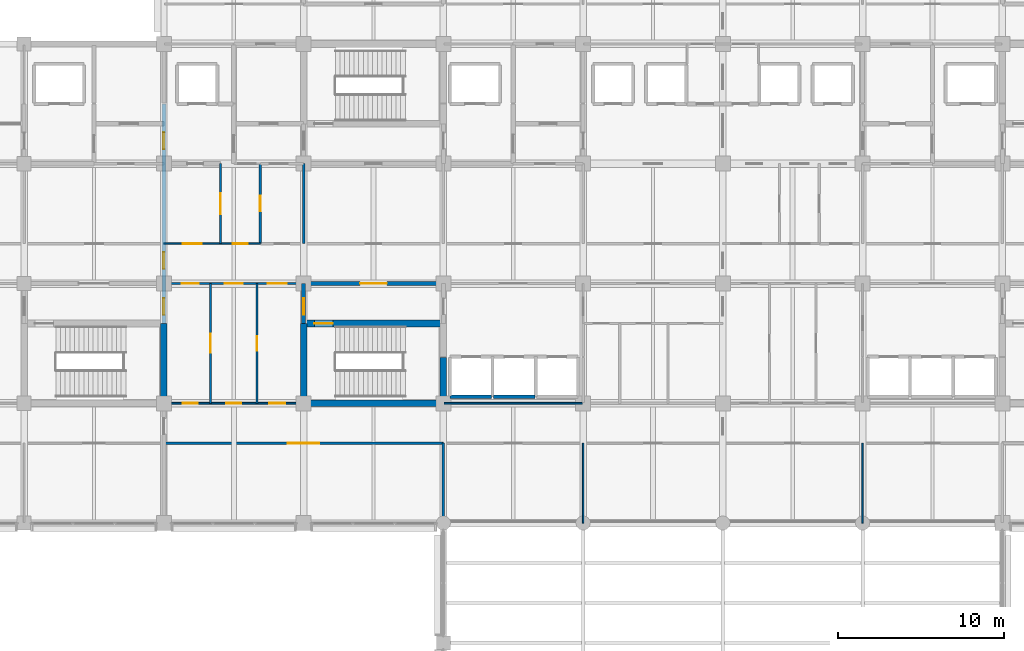
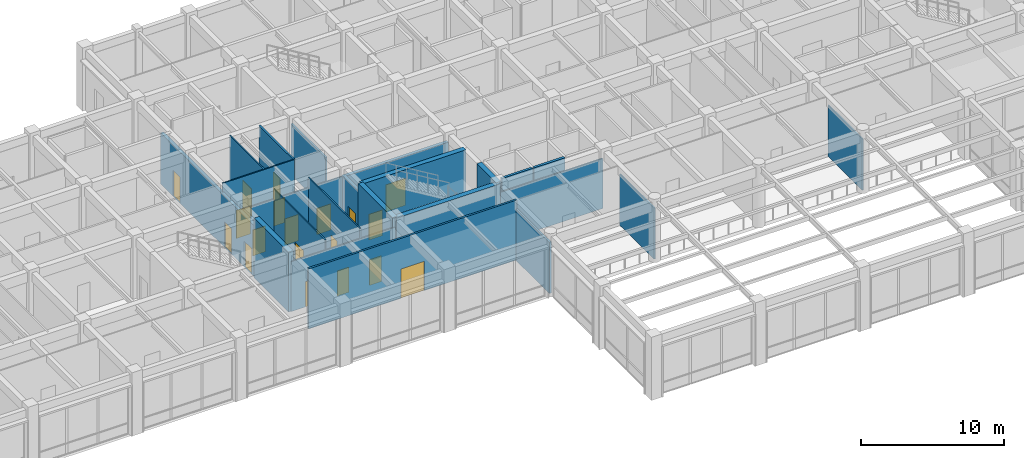
# One storey, part 35 of 58: 23 walls, 19 doors, 19 openings.
"""IFC4 building model written with IfcOpenShell, lengths in metres."""

from ifc_helpers import new_model, si_unit, direction, frame, frame_2d, origin, place, context, subcontext, project, spatial, rectangle, extrude, material, layer, layer_set, type_object, element, fill, save


model = new_model("IFC4")

# Units and contexts
model_context = context("Model", 3, precision=1e-05, world=origin(), true_north=direction((0.0, 1.0)))
body_context = subcontext(model_context, "Body", "Model", "MODEL_VIEW")
ifc_project = project(units=[si_unit("LENGTHUNIT", "METRE"), si_unit("AREAUNIT", "SQUARE_METRE"), si_unit("VOLUMEUNIT", "CUBIC_METRE"), si_unit("PLANEANGLEUNIT", "RADIAN"), si_unit("MASSUNIT", "GRAM", prefix="KILO")], contexts=[model_context])

# Site, building, storey
site_placement = place(None, origin())
site = spatial("IfcSite", under=ifc_project, at=site_placement, CompositionType="ELEMENT")
building_placement = place(site_placement, origin())
building = spatial("IfcBuilding", under=site, at=building_placement, Name="Chengyuan Square Courthouse", CompositionType="ELEMENT")
storey_placement = place(building_placement, frame((0.0, 0.0, 16.199951171875)))
storey = spatial("IfcBuildingStorey", under=building, at=storey_placement, Name="L04", CompositionType="ELEMENT", Elevation=16.199951171875)

# Wall, opening, door
ifc_material_1 = material(Name="Concrete C40", Category="concrete")
ifc_layer_1 = layer(ifc_material_1, 0.25)
ifc_layer_set_1 = layer_set([ifc_layer_1], Name="Concrete C40")
wall_type_1 = type_object("IfcWallType", Name="WL-FW1", PredefinedType="STANDARD", material=ifc_layer_set_1)
wall_1_placement = place(storey_placement, frame((58.800048828125, 93.60009765625, 0.0), z_axis=(0.0, 0.0, 1.0), x_axis=(1.0, 0.0, 0.0)))
wall_1 = element("IfcWall", 1, at=wall_1_placement, inside=storey, type_object=wall_type_1, Name="Interior Wall WL-L04-I1814", PredefinedType="STANDARD", context=body_context, shape_type="SweptSolid", body=[
    extrude(rectangle(XDim=8.39990234375, YDim=0.25, at=frame_2d((4.199951171875, 0.0))), origin(), (0.0, 0.0, 1.0), 4.27001953125),
])
opening_1_placement = place(wall_1_placement, frame((3.39990234375, 0.0, 0.0)))
opening_1 = element("IfcOpeningElement", 2, at=opening_1_placement, cuts=wall_1, Name="Opening DR-1640", PredefinedType="OPENING", context=body_context, shape_type="SweptSolid", body=[
    extrude(rectangle(XDim=1.60009765625, YDim=2.300048828125, at=frame_2d((0.800048828125, 1.14990234375))), frame((0.0, 0.136962890625, 0.0), z_axis=(0.0, -1.0, 0.0), x_axis=(1.0, 0.0, 0.0)), (0.0, 0.0, 1.0), 0.27392578125),
])
ifc_material_2 = material(Name="Steel Q235B Glazed Fire Door", Category="steel")
door_type_1 = type_object("IfcDoorType", Name="DT-17", OperationType="DOUBLE_DOOR_SINGLE_SWING", PredefinedType="DOOR", material=ifc_material_2)
door_1_placement = place(opening_1_placement, frame((1.60009765625, 0.0, 0.0), z_axis=(0.0, 0.0, 1.0), x_axis=(-1.0, 0.0, 0.0)))
door_1 = element("IfcDoor", 3, at=door_1_placement, inside=storey, type_object=door_type_1, Name="Interior Door DR-1640", OperationType="DOUBLE_DOOR_SINGLE_SWING", OverallHeight=2.300048828125, OverallWidth=1.60009765625, PredefinedType="DOOR", context=body_context, shape_type="SweptSolid", body=[
    extrude(rectangle(XDim=1.60009765625, YDim=2.300048828125, at=frame_2d((0.800048828125, 1.14990234375))), frame((0.0, 0.02490234375, 0.0), z_axis=(0.0, -1.0, 0.0), x_axis=(1.0, 0.0, 0.0)), (0.0, 0.0, 1.0), 0.050048828125),
])
fill(opening_1, door_1)

# Wall, openings, doors
wall_2_placement = place(storey_placement, frame((50.39990234375, 91.199951171875, 0.0), z_axis=(0.0, 0.0, 1.0), x_axis=(0.0, 1.0, 0.0)))
wall_2 = element("IfcWall", 4, at=wall_2_placement, inside=storey, type_object=wall_type_1, Name="Interior Wall WL-L04-I1957", PredefinedType="STANDARD", context=body_context, shape_type="SweptSolid", body=[
    extrude(rectangle(XDim=13.199951171875, YDim=0.25, at=frame_2d((6.60009765625, 0.0))), origin(), (0.0, 0.0, 1.0), 4.3701171875),
])
opening_2_placement = place(wall_2_placement, frame((0.514892578125, 0.0, 0.0)))
opening_2 = element("IfcOpeningElement", 5, at=opening_2_placement, cuts=wall_2, Name="Opening DR-1647", PredefinedType="OPENING", context=body_context, shape_type="SweptSolid", body=[
    extrude(rectangle(XDim=1.0, YDim=2.199951171875, at=frame_2d((0.5, 1.10009765625))), frame((0.0, 0.136962890625, 0.0), z_axis=(0.0, -1.0, 0.0), x_axis=(1.0, 0.0, 0.0)), (0.0, 0.0, 1.0), 0.27392578125),
])
opening_3_placement = place(wall_2_placement, frame((10.485107421875, 0.0, 0.0)))
opening_3 = element("IfcOpeningElement", 6, at=opening_3_placement, cuts=wall_2, Name="Opening DR-1680", PredefinedType="OPENING", context=body_context, shape_type="SweptSolid", body=[
    extrude(rectangle(XDim=1.0, YDim=2.199951171875, at=frame_2d((0.5, 1.10009765625))), frame((0.0, 0.136962890625, 0.0), z_axis=(0.0, -1.0, 0.0), x_axis=(1.0, 0.0, 0.0)), (0.0, 0.0, 1.0), 0.27392578125),
])
opening_4_placement = place(wall_2_placement, frame((3.284912109375, 0.0, 0.0)))
opening_4 = element("IfcOpeningElement", 7, at=opening_4_placement, cuts=wall_2, Name="Opening DR-1743", PredefinedType="OPENING", context=body_context, shape_type="SweptSolid", body=[
    extrude(rectangle(XDim=1.0, YDim=2.199951171875, at=frame_2d((0.5, 1.10009765625))), frame((0.0, 0.136962890625, 0.0), z_axis=(0.0, -1.0, 0.0), x_axis=(1.0, 0.0, 0.0)), (0.0, 0.0, 1.0), 0.27392578125),
])
ifc_material_3 = material(Name="Steel Q235B Fire Door", Category="steel")
door_type_2 = type_object("IfcDoorType", Name="DT-11", OperationType="NOTDEFINED", PredefinedType="DOOR", material=ifc_material_3)
door_2_placement = place(opening_2_placement, origin())
door_2 = element("IfcDoor", 8, at=door_2_placement, inside=storey, type_object=door_type_2, Name="Interior Door DR-1647", OperationType="SINGLE_SWING_RIGHT", OverallHeight=2.199951171875, OverallWidth=1.0, PredefinedType="DOOR", context=body_context, shape_type="SweptSolid", body=[
    extrude(rectangle(XDim=1.0, YDim=2.199951171875, at=frame_2d((0.5, 1.10009765625))), frame((0.0, 0.02490234375, 0.0), z_axis=(0.0, -1.0, 0.0), x_axis=(1.0, 0.0, 0.0)), (0.0, 0.0, 1.0), 0.050048828125),
])
fill(opening_2, door_2)
door_3_placement = place(opening_3_placement, origin())
door_3 = element("IfcDoor", 9, at=door_3_placement, inside=storey, type_object=door_type_2, Name="Interior Door DR-1680", OperationType="SINGLE_SWING_RIGHT", OverallHeight=2.199951171875, OverallWidth=1.0, PredefinedType="DOOR", context=body_context, shape_type="SweptSolid", body=[
    extrude(rectangle(XDim=1.0, YDim=2.199951171875, at=frame_2d((0.5, 1.10009765625))), frame((0.0, 0.02490234375, 0.0), z_axis=(0.0, -1.0, 0.0), x_axis=(1.0, 0.0, 0.0)), (0.0, 0.0, 1.0), 0.050048828125),
])
fill(opening_3, door_3)
door_4_placement = place(opening_4_placement, origin())
door_4 = element("IfcDoor", 10, at=door_4_placement, inside=storey, type_object=door_type_2, Name="Interior Door DR-1743", OperationType="SINGLE_SWING_LEFT", OverallHeight=2.199951171875, OverallWidth=1.0, PredefinedType="DOOR", context=body_context, shape_type="SweptSolid", body=[
    extrude(rectangle(XDim=1.0, YDim=2.199951171875, at=frame_2d((0.5, 1.10009765625))), frame((0.0, 0.02490234375, 0.0), z_axis=(0.0, -1.0, 0.0), x_axis=(1.0, 0.0, 0.0)), (0.0, 0.0, 1.0), 0.050048828125),
])
fill(opening_4, door_4)

# Wall, opening, door
wall_3_placement = place(storey_placement, frame((58.800048828125, 91.199951171875, 0.0), z_axis=(0.0, 0.0, 1.0), x_axis=(0.0, 1.0, 0.0)))
wall_3 = element("IfcWall", 11, at=wall_3_placement, inside=storey, type_object=wall_type_1, Name="Interior Wall WL-L04-I1968", PredefinedType="STANDARD", context=body_context, shape_type="SweptSolid", body=[
    extrude(rectangle(XDim=2.400146484375, YDim=0.25, at=frame_2d((1.2001953125, 0.0))), origin(), (0.0, 0.0, 1.0), 4.3701171875),
])
opening_5_placement = place(wall_3_placement, frame((0.514892578125, 0.0, 0.0)))
opening_5 = element("IfcOpeningElement", 12, at=opening_5_placement, cuts=wall_3, Name="Opening DR-1641", PredefinedType="OPENING", context=body_context, shape_type="SweptSolid", body=[
    extrude(rectangle(XDim=1.0, YDim=2.199951171875, at=frame_2d((0.5, 1.10009765625))), frame((0.0, 0.136962890625, 0.0), z_axis=(0.0, -1.0, 0.0), x_axis=(1.0, 0.0, 0.0)), (0.0, 0.0, 1.0), 0.27392578125),
])
door_5_placement = place(opening_5_placement, origin())
door_5 = element("IfcDoor", 13, at=door_5_placement, inside=storey, type_object=door_type_2, Name="Interior Door DR-1641", OperationType="SINGLE_SWING_RIGHT", OverallHeight=2.199951171875, OverallWidth=1.0, PredefinedType="DOOR", context=body_context, shape_type="SweptSolid", body=[
    extrude(rectangle(XDim=1.0, YDim=2.199951171875, at=frame_2d((0.5, 1.10009765625))), frame((0.0, 0.02490234375, 0.0), z_axis=(0.0, -1.0, 0.0), x_axis=(1.0, 0.0, 0.0)), (0.0, 0.0, 1.0), 0.050048828125),
])
fill(opening_5, door_5)

ifc_material_4 = material(Name="Acoustic Timber-Lined Gypsum Partition", Category="wood")
ifc_layer_2 = layer(ifc_material_4, 0.159912109375)
ifc_layer_set_2 = layer_set([ifc_layer_2], Name="Acoustic Timber-Lined Gypsum Partition")
wall_type_2 = type_object("IfcWallType", Name="WL-PT2", PredefinedType="STANDARD", material=ifc_layer_set_2)
wall_4_placement = place(storey_placement, frame((50.39990234375, 84.0, 0.0), z_axis=(0.0, 0.0, 1.0), x_axis=(1.0, 0.0, 0.0)))
wall_4 = element("IfcWall", 14, at=wall_4_placement, inside=storey, type_object=wall_type_2, Name="Interior Wall WL-L04-I1774", PredefinedType="STANDARD", context=body_context, shape_type="SweptSolid", body=[
    extrude(rectangle(XDim=16.800048828125, YDim=0.159912109375, at=frame_2d((8.39990234375, 0.0))), origin(), (0.0, 0.0, 1.0), 5.1201171875),
])
opening_6_placement = place(wall_4_placement, frame((7.449951171875, 0.0, 0.0)))
opening_6 = element("IfcOpeningElement", 15, at=opening_6_placement, cuts=wall_4, Name="Opening DR-1879", PredefinedType="OPENING", context=body_context, shape_type="SweptSolid", body=[
    extrude(rectangle(XDim=1.89990234375, YDim=2.5, at=frame_2d((0.949951171875, 1.25))), frame((0.0, 0.092041015625, 0.0), z_axis=(0.0, -1.0, 0.0), x_axis=(1.0, 0.0, 0.0)), (0.0, 0.0, 1.0), 0.183837890625),
])
ifc_material_5 = material(Name="Acoustic Larch Veneer Double Door")
door_type_3 = type_object("IfcDoorType", Name="DT-26", OperationType="DOUBLE_DOOR_SINGLE_SWING", PredefinedType="DOOR", material=ifc_material_5)
door_6_placement = place(opening_6_placement, frame((1.89990234375, 0.0, 0.0), z_axis=(0.0, 0.0, 1.0), x_axis=(-1.0, 0.0, 0.0)))
door_6 = element("IfcDoor", 16, at=door_6_placement, inside=storey, type_object=door_type_3, Name="Interior Door DR-1879", OperationType="DOUBLE_DOOR_SINGLE_SWING", OverallHeight=2.5, OverallWidth=1.89990234375, PredefinedType="DOOR", context=body_context, shape_type="SweptSolid", body=[
    extrude(rectangle(XDim=1.89990234375, YDim=2.5, at=frame_2d((0.949951171875, 1.25))), frame((0.0, 0.02490234375, 0.0), z_axis=(0.0, -1.0, 0.0), x_axis=(1.0, 0.0, 0.0)), (0.0, 0.0, 1.0), 0.050048828125),
])
fill(opening_6, door_6)

# Wall
wall_5_placement = place(storey_placement, frame((67.199951171875, 79.239990234375, 0.0), z_axis=(0.0, 0.0, 1.0), x_axis=(0.0, 1.0, 0.0)))
element("IfcWall", 17, at=wall_5_placement, inside=storey, type_object=wall_type_2, Name="Interior Wall WL-L04-I1973", PredefinedType="STANDARD", context=body_context, shape_type="SweptSolid", body=[
    extrude(rectangle(XDim=4.760009765625, YDim=0.159912109375, at=frame_2d((2.3798828125, 0.0))), origin(), (0.0, 0.0, 1.0), 4.3701171875),
])

# Wall, opening, door
ifc_material_6 = material(Name="Deliberation Room Sound-Insulated Partition")
ifc_layer_3 = layer(ifc_material_6, 0.14990234375)
ifc_layer_set_3 = layer_set([ifc_layer_3], Name="Deliberation Room Sound-Insulated Partition")
wall_type_3 = type_object("IfcWallType", Name="WL-PT3", PredefinedType="STANDARD", material=ifc_layer_set_3)
wall_6_placement = place(storey_placement, frame((56.199951171875, 96.0, 0.0), z_axis=(0.0, 0.0, 1.0), x_axis=(0.0, 1.0, 0.0)))
wall_6 = element("IfcWall", 18, at=wall_6_placement, inside=storey, type_object=wall_type_3, Name="Interior Wall WL-L04-I1966", PredefinedType="STANDARD", context=body_context, shape_type="SweptSolid", body=[
    extrude(rectangle(XDim=4.800048828125, YDim=0.14990234375, at=frame_2d((2.39990234375, 0.0))), origin(), (0.0, 0.0, 1.0), 5.1201171875),
])
opening_7_placement = place(wall_6_placement, frame((1.929931640625, 0.0, 0.0)))
opening_7 = element("IfcOpeningElement", 19, at=opening_7_placement, cuts=wall_6, Name="Opening DR-1810", PredefinedType="OPENING", context=body_context, shape_type="SweptSolid", body=[
    extrude(rectangle(XDim=0.93994140625, YDim=2.300048828125, at=frame_2d((0.469970703125, 1.14990234375))), frame((0.0, 0.0869140625, 0.0), z_axis=(0.0, -1.0, 0.0), x_axis=(1.0, 0.0, 0.0)), (0.0, 0.0, 1.0), 0.173828125),
])
ifc_material_7 = material(Name="Acoustic Solid-Core Timber Door", Category="wood")
door_type_4 = type_object("IfcDoorType", Name="DT-39", OperationType="NOTDEFINED", PredefinedType="DOOR", material=ifc_material_7)
door_7_placement = place(opening_7_placement, origin())
door_7 = element("IfcDoor", 20, at=door_7_placement, inside=storey, type_object=door_type_4, Name="Interior Door DR-1810", OperationType="SINGLE_SWING_LEFT", OverallHeight=2.300048828125, OverallWidth=0.93994140625, PredefinedType="DOOR", context=body_context, shape_type="SweptSolid", body=[
    extrude(rectangle(XDim=0.93994140625, YDim=2.300048828125, at=frame_2d((0.469970703125, 1.14990234375))), frame((0.0, 0.02490234375, 0.0), z_axis=(0.0, -1.0, 0.0), x_axis=(1.0, 0.0, 0.0)), (0.0, 0.0, 1.0), 0.050048828125),
])
fill(opening_7, door_7)

# Wall
wall_7_placement = place(storey_placement, frame((58.800048828125, 96.0, 0.0), z_axis=(0.0, 0.0, 1.0), x_axis=(0.0, 1.0, 0.0)))
element("IfcWall", 21, at=wall_7_placement, inside=storey, type_object=wall_type_3, Name="Interior Wall WL-L04-I1969", PredefinedType="STANDARD", context=body_context, shape_type="SweptSolid", body=[
    extrude(rectangle(XDim=4.800048828125, YDim=0.14990234375, at=frame_2d((2.39990234375, 0.0))), origin(), (0.0, 0.0, 1.0), 4.3701171875),
])

# Wall, openings, doors
ifc_material_8 = material(Name="Gypsum Plasterboard Acoustic Stud Partition")
ifc_layer_4 = layer(ifc_material_8, 0.10009765625)
ifc_layer_set_4 = layer_set([ifc_layer_4], Name="Gypsum Plasterboard Acoustic Stud Partition")
wall_type_4 = type_object("IfcWallType", Name="WL-PT6", PredefinedType="STANDARD", material=ifc_layer_set_4)
wall_8_placement = place(storey_placement, frame((50.39990234375, 86.39990234375, 0.0), z_axis=(0.0, 0.0, 1.0), x_axis=(1.0, 0.0, 0.0)))
wall_8 = element("IfcWall", 22, at=wall_8_placement, inside=storey, type_object=wall_type_4, Name="Interior Wall WL-L04-I1782", PredefinedType="STANDARD", context=body_context, shape_type="SweptSolid", body=[
    extrude(rectangle(XDim=8.400146484375, YDim=0.10009765625, at=frame_2d((4.2001953125, 0.0))), origin(), (0.0, 0.0, 1.0), 4.27001953125),
])
opening_8_placement = place(wall_8_placement, frame((1.135009765625, 0.0, 0.0)))
opening_8 = element("IfcOpeningElement", 23, at=opening_8_placement, cuts=wall_8, Name="Opening DR-1832", PredefinedType="OPENING", context=body_context, shape_type="SweptSolid", body=[
    extrude(rectangle(XDim=0.89990234375, YDim=2.14990234375, at=frame_2d((0.449951171875, 1.074951171875))), frame((0.0, 0.06201171875, 0.0), z_axis=(0.0, -1.0, 0.0), x_axis=(1.0, 0.0, 0.0)), (0.0, 0.0, 1.0), 0.1240234375),
])
opening_9_placement = place(wall_8_placement, frame((3.739990234375, 0.0, 0.0)))
opening_9 = element("IfcOpeningElement", 24, at=opening_9_placement, cuts=wall_8, Name="Opening DR-1834", PredefinedType="OPENING", context=body_context, shape_type="SweptSolid", body=[
    extrude(rectangle(XDim=0.919921875, YDim=2.14990234375, at=frame_2d((0.4599609375, 1.074951171875))), frame((0.0, 0.06201171875, 0.0), z_axis=(0.0, -1.0, 0.0), x_axis=(1.0, 0.0, 0.0)), (0.0, 0.0, 1.0), 0.1240234375),
])
opening_10_placement = place(wall_8_placement, frame((6.3349609375, 0.0, 0.0)))
opening_10 = element("IfcOpeningElement", 25, at=opening_10_placement, cuts=wall_8, Name="Opening DR-1835", PredefinedType="OPENING", context=body_context, shape_type="SweptSolid", body=[
    extrude(rectangle(XDim=0.9599609375, YDim=2.199951171875, at=frame_2d((0.47998046875, 1.10009765625))), frame((0.0, 0.06201171875, 0.0), z_axis=(0.0, -1.0, 0.0), x_axis=(1.0, 0.0, 0.0)), (0.0, 0.0, 1.0), 0.1240234375),
])
door_type_5 = type_object("IfcDoorType", Name="DT-27", OperationType="NOTDEFINED", PredefinedType="DOOR", material=ifc_material_7)
door_8_placement = place(opening_8_placement, origin())
door_8 = element("IfcDoor", 26, at=door_8_placement, inside=storey, type_object=door_type_5, Name="Interior Door DR-1832", OperationType="SINGLE_SWING_LEFT", OverallHeight=2.14990234375, OverallWidth=0.89990234375, PredefinedType="DOOR", context=body_context, shape_type="SweptSolid", body=[
    extrude(rectangle(XDim=0.89990234375, YDim=2.14990234375, at=frame_2d((0.449951171875, 1.074951171875))), frame((0.0, 0.02490234375, 0.0), z_axis=(0.0, -1.0, 0.0), x_axis=(1.0, 0.0, 0.0)), (0.0, 0.0, 1.0), 0.050048828125),
])
fill(opening_8, door_8)
door_type_6 = type_object("IfcDoorType", Name="DT-29", OperationType="NOTDEFINED", PredefinedType="DOOR", material=ifc_material_7)
door_9_placement = place(opening_9_placement, origin())
door_9 = element("IfcDoor", 27, at=door_9_placement, inside=storey, type_object=door_type_6, Name="Interior Door DR-1834", OperationType="SINGLE_SWING_LEFT", OverallHeight=2.14990234375, OverallWidth=0.919921875, PredefinedType="DOOR", context=body_context, shape_type="SweptSolid", body=[
    extrude(rectangle(XDim=0.919921875, YDim=2.14990234375, at=frame_2d((0.4599609375, 1.074951171875))), frame((0.0, 0.02490234375, 0.0), z_axis=(0.0, -1.0, 0.0), x_axis=(1.0, 0.0, 0.0)), (0.0, 0.0, 1.0), 0.050048828125),
])
fill(opening_9, door_9)
door_type_7 = type_object("IfcDoorType", Name="DT-30", OperationType="NOTDEFINED", PredefinedType="DOOR", material=ifc_material_7)
door_10_placement = place(opening_10_placement, origin())
door_10 = element("IfcDoor", 28, at=door_10_placement, inside=storey, type_object=door_type_7, Name="Interior Door DR-1835", OperationType="SINGLE_SWING_RIGHT", OverallHeight=2.199951171875, OverallWidth=0.9599609375, PredefinedType="DOOR", context=body_context, shape_type="SweptSolid", body=[
    extrude(rectangle(XDim=0.9599609375, YDim=2.199951171875, at=frame_2d((0.47998046875, 1.10009765625))), frame((0.0, 0.02490234375, 0.0), z_axis=(0.0, -1.0, 0.0), x_axis=(1.0, 0.0, 0.0)), (0.0, 0.0, 1.0), 0.050048828125),
])
fill(opening_10, door_10)

# Wall
wall_9_placement = place(storey_placement, frame((67.25, 86.39990234375, 0.0), z_axis=(0.0, 0.0, 1.0), x_axis=(1.0, 0.0, 0.0)))
element("IfcWall", 29, at=wall_9_placement, inside=storey, type_object=wall_type_4, Name="Interior Wall WL-L04-I1784", PredefinedType="STANDARD", context=body_context, shape_type="SweptSolid", body=[
    extrude(rectangle(XDim=8.300048828125, YDim=0.10009765625, at=frame_2d((4.14990234375, 0.0))), origin(), (0.0, 0.0, 1.0), 4.27001953125),
])

# Wall, openings, doors
wall_10_placement = place(storey_placement, frame((50.39990234375, 93.60009765625, 0.0), z_axis=(0.0, 0.0, 1.0), x_axis=(1.0, 0.0, 0.0)))
wall_10 = element("IfcWall", 30, at=wall_10_placement, inside=storey, type_object=wall_type_4, Name="Interior Wall WL-L04-I1813", PredefinedType="STANDARD", context=body_context, shape_type="SweptSolid", body=[
    extrude(rectangle(XDim=8.400146484375, YDim=0.10009765625, at=frame_2d((4.2001953125, 0.0))), origin(), (0.0, 0.0, 1.0), 4.27001953125),
])
opening_11_placement = place(wall_10_placement, frame((1.06494140625, 0.0, 0.0)))
opening_11 = element("IfcOpeningElement", 31, at=opening_11_placement, cuts=wall_10, Name="Opening DR-1769", PredefinedType="OPENING", context=body_context, shape_type="SweptSolid", body=[
    extrude(rectangle(XDim=1.0400390625, YDim=2.199951171875, at=frame_2d((0.52001953125, 1.10009765625))), frame((0.0, 0.06201171875, 0.0), z_axis=(0.0, -1.0, 0.0), x_axis=(1.0, 0.0, 0.0)), (0.0, 0.0, 1.0), 0.1240234375),
])
opening_12_placement = place(wall_10_placement, frame((3.659912109375, 0.0, 0.0)))
opening_12 = element("IfcOpeningElement", 32, at=opening_12_placement, cuts=wall_10, Name="Opening DR-1770", PredefinedType="OPENING", context=body_context, shape_type="SweptSolid", body=[
    extrude(rectangle(XDim=1.080078125, YDim=2.25, at=frame_2d((0.5400390625, 1.125))), frame((0.0, 0.06201171875, 0.0), z_axis=(0.0, -1.0, 0.0), x_axis=(1.0, 0.0, 0.0)), (0.0, 0.0, 1.0), 0.1240234375),
])
opening_13_placement = place(wall_10_placement, frame((6.2548828125, 0.0, 0.0)))
opening_13 = element("IfcOpeningElement", 33, at=opening_13_placement, cuts=wall_10, Name="Opening DR-1771", PredefinedType="OPENING", context=body_context, shape_type="SweptSolid", body=[
    extrude(rectangle(XDim=1.1201171875, YDim=2.25, at=frame_2d((0.56005859375, 1.125))), frame((0.0, 0.06201171875, 0.0), z_axis=(0.0, -1.0, 0.0), x_axis=(1.0, 0.0, 0.0)), (0.0, 0.0, 1.0), 0.1240234375),
])
door_type_8 = type_object("IfcDoorType", Name="DT-32", OperationType="NOTDEFINED", PredefinedType="DOOR", material=ifc_material_7)
door_11_placement = place(opening_11_placement, origin())
door_11 = element("IfcDoor", 34, at=door_11_placement, inside=storey, type_object=door_type_8, Name="Interior Door DR-1769", OperationType="SINGLE_SWING_LEFT", OverallHeight=2.199951171875, OverallWidth=1.0400390625, PredefinedType="DOOR", context=body_context, shape_type="SweptSolid", body=[
    extrude(rectangle(XDim=1.0400390625, YDim=2.199951171875, at=frame_2d((0.52001953125, 1.10009765625))), frame((0.0, 0.02490234375, 0.0), z_axis=(0.0, -1.0, 0.0), x_axis=(1.0, 0.0, 0.0)), (0.0, 0.0, 1.0), 0.050048828125),
])
fill(opening_11, door_11)
door_type_9 = type_object("IfcDoorType", Name="DT-33", OperationType="NOTDEFINED", PredefinedType="DOOR", material=ifc_material_7)
door_12_placement = place(opening_12_placement, origin())
door_12 = element("IfcDoor", 35, at=door_12_placement, inside=storey, type_object=door_type_9, Name="Interior Door DR-1770", OperationType="SINGLE_SWING_RIGHT", OverallHeight=2.25, OverallWidth=1.080078125, PredefinedType="DOOR", context=body_context, shape_type="SweptSolid", body=[
    extrude(rectangle(XDim=1.080078125, YDim=2.25, at=frame_2d((0.5400390625, 1.125))), frame((0.0, 0.02490234375, 0.0), z_axis=(0.0, -1.0, 0.0), x_axis=(1.0, 0.0, 0.0)), (0.0, 0.0, 1.0), 0.050048828125),
])
fill(opening_12, door_12)
door_type_10 = type_object("IfcDoorType", Name="DT-34", OperationType="NOTDEFINED", PredefinedType="DOOR", material=ifc_material_7)
door_13_placement = place(opening_13_placement, origin())
door_13 = element("IfcDoor", 36, at=door_13_placement, inside=storey, type_object=door_type_10, Name="Interior Door DR-1771", OperationType="SINGLE_SWING_LEFT", OverallHeight=2.25, OverallWidth=1.1201171875, PredefinedType="DOOR", context=body_context, shape_type="SweptSolid", body=[
    extrude(rectangle(XDim=1.1201171875, YDim=2.25, at=frame_2d((0.56005859375, 1.125))), frame((0.0, 0.02490234375, 0.0), z_axis=(0.0, -1.0, 0.0), x_axis=(1.0, 0.0, 0.0)), (0.0, 0.0, 1.0), 0.050048828125),
])
fill(opening_13, door_13)

wall_11_placement = place(storey_placement, frame((50.39990234375, 96.0, 0.0), z_axis=(0.0, 0.0, 1.0), x_axis=(1.0, 0.0, 0.0)))
wall_11 = element("IfcWall", 37, at=wall_11_placement, inside=storey, type_object=wall_type_4, Name="Interior Wall WL-L04-I1826", PredefinedType="STANDARD", context=body_context, shape_type="SweptSolid", body=[
    extrude(rectangle(XDim=5.800048828125, YDim=0.10009765625, at=frame_2d((2.89990234375, 0.0))), origin(), (0.0, 0.0, 1.0), 5.1201171875),
])
opening_14_placement = place(wall_11_placement, frame((1.1298828125, 0.0, 0.0)))
opening_14 = element("IfcOpeningElement", 38, at=opening_14_placement, cuts=wall_11, Name="Opening DR-1763", PredefinedType="OPENING", context=body_context, shape_type="SweptSolid", body=[
    extrude(rectangle(XDim=1.139892578125, YDim=2.39990234375, at=frame_2d((0.56982421875, 1.199951171875))), frame((0.0, 0.06201171875, 0.0), z_axis=(0.0, -1.0, 0.0), x_axis=(1.0, 0.0, 0.0)), (0.0, 0.0, 1.0), 0.1240234375),
])
opening_15_placement = place(wall_11_placement, frame((4.14990234375, 0.0, 0.0)))
opening_15 = element("IfcOpeningElement", 39, at=opening_15_placement, cuts=wall_11, Name="Opening DR-1764", PredefinedType="OPENING", context=body_context, shape_type="SweptSolid", body=[
    extrude(rectangle(XDim=0.89990234375, YDim=2.14990234375, at=frame_2d((0.449951171875, 1.074951171875))), frame((0.0, 0.06201171875, 0.0), z_axis=(0.0, -1.0, 0.0), x_axis=(1.0, 0.0, 0.0)), (0.0, 0.0, 1.0), 0.1240234375),
])
door_14_placement = place(opening_15_placement, origin())
door_14 = element("IfcDoor", 40, at=door_14_placement, inside=storey, type_object=door_type_5, Name="Interior Door DR-1764", OperationType="SINGLE_SWING_RIGHT", OverallHeight=2.14990234375, OverallWidth=0.89990234375, PredefinedType="DOOR", context=body_context, shape_type="SweptSolid", body=[
    extrude(rectangle(XDim=0.89990234375, YDim=2.14990234375, at=frame_2d((0.449951171875, 1.074951171875))), frame((0.0, 0.02490234375, 0.0), z_axis=(0.0, -1.0, 0.0), x_axis=(1.0, 0.0, 0.0)), (0.0, 0.0, 1.0), 0.050048828125),
])
fill(opening_15, door_14)
door_type_11 = type_object("IfcDoorType", Name="DT-43", OperationType="NOTDEFINED", PredefinedType="DOOR", material=ifc_material_7)
door_15_placement = place(opening_14_placement, origin())
door_15 = element("IfcDoor", 41, at=door_15_placement, inside=storey, type_object=door_type_11, Name="Interior Door DR-1763", OperationType="SINGLE_SWING_LEFT", OverallHeight=2.39990234375, OverallWidth=1.139892578125, PredefinedType="DOOR", context=body_context, shape_type="SweptSolid", body=[
    extrude(rectangle(XDim=1.139892578125, YDim=2.39990234375, at=frame_2d((0.56982421875, 1.199951171875))), frame((0.0, 0.02490234375, 0.0), z_axis=(0.0, -1.0, 0.0), x_axis=(1.0, 0.0, 0.0)), (0.0, 0.0, 1.0), 0.050048828125),
])
fill(opening_14, door_15)

# Wall, opening, door
wall_12_placement = place(storey_placement, frame((53.199951171875, 86.39990234375, 0.0), z_axis=(0.0, 0.0, 1.0), x_axis=(0.0, 1.0, 0.0)))
wall_12 = element("IfcWall", 42, at=wall_12_placement, inside=storey, type_object=wall_type_4, Name="Interior Wall WL-L04-I1960", PredefinedType="STANDARD", context=body_context, shape_type="SweptSolid", body=[
    extrude(rectangle(XDim=7.2001953125, YDim=0.10009765625, at=frame_2d((3.60009765625, 0.0))), origin(), (0.0, 0.0, 1.0), 5.1201171875),
])
opening_16_placement = place(wall_12_placement, frame((3.030029296875, 0.0, 0.0)))
opening_16 = element("IfcOpeningElement", 43, at=opening_16_placement, cuts=wall_12, Name="Opening DR-1831", PredefinedType="OPENING", context=body_context, shape_type="SweptSolid", body=[
    extrude(rectangle(XDim=1.139892578125, YDim=2.39990234375, at=frame_2d((0.56982421875, 1.199951171875))), frame((0.0, 0.06201171875, 0.0), z_axis=(0.0, -1.0, 0.0), x_axis=(1.0, 0.0, 0.0)), (0.0, 0.0, 1.0), 0.1240234375),
])
door_16_placement = place(opening_16_placement, origin())
door_16 = element("IfcDoor", 44, at=door_16_placement, inside=storey, type_object=door_type_11, Name="Interior Door DR-1831", OperationType="SINGLE_SWING_RIGHT", OverallHeight=2.39990234375, OverallWidth=1.139892578125, PredefinedType="DOOR", context=body_context, shape_type="SweptSolid", body=[
    extrude(rectangle(XDim=1.139892578125, YDim=2.39990234375, at=frame_2d((0.56982421875, 1.199951171875))), frame((0.0, 0.02490234375, 0.0), z_axis=(0.0, -1.0, 0.0), x_axis=(1.0, 0.0, 0.0)), (0.0, 0.0, 1.0), 0.050048828125),
])
fill(opening_16, door_16)

wall_13_placement = place(storey_placement, frame((53.800048828125, 96.0, 0.0), z_axis=(0.0, 0.0, 1.0), x_axis=(0.0, 1.0, 0.0)))
wall_13 = element("IfcWall", 45, at=wall_13_placement, inside=storey, type_object=wall_type_4, Name="Interior Wall WL-L04-I1962", PredefinedType="STANDARD", context=body_context, shape_type="SweptSolid", body=[
    extrude(rectangle(XDim=4.800048828125, YDim=0.10009765625, at=frame_2d((2.39990234375, 0.0))), origin(), (0.0, 0.0, 1.0), 5.1201171875),
])
opening_17_placement = place(wall_13_placement, frame((1.760009765625, 0.0, 0.0)))
opening_17 = element("IfcOpeningElement", 46, at=opening_17_placement, cuts=wall_13, Name="Opening DR-1809", PredefinedType="OPENING", context=body_context, shape_type="SweptSolid", body=[
    extrude(rectangle(XDim=1.280029296875, YDim=2.35009765625, at=frame_2d((0.64013671875, 1.175048828125))), frame((0.0, 0.06201171875, 0.0), z_axis=(0.0, -1.0, 0.0), x_axis=(1.0, 0.0, 0.0)), (0.0, 0.0, 1.0), 0.1240234375),
])
door_type_12 = type_object("IfcDoorType", Name="DT-38", OperationType="NOTDEFINED", PredefinedType="DOOR", material=ifc_material_7)
door_17_placement = place(opening_17_placement, origin())
door_17 = element("IfcDoor", 47, at=door_17_placement, inside=storey, type_object=door_type_12, Name="Interior Door DR-1809", OperationType="SINGLE_SWING_RIGHT", OverallHeight=2.35009765625, OverallWidth=1.280029296875, PredefinedType="DOOR", context=body_context, shape_type="SweptSolid", body=[
    extrude(rectangle(XDim=1.280029296875, YDim=2.35009765625, at=frame_2d((0.64013671875, 1.175048828125))), frame((0.0, 0.02490234375, 0.0), z_axis=(0.0, -1.0, 0.0), x_axis=(1.0, 0.0, 0.0)), (0.0, 0.0, 1.0), 0.050048828125),
])
fill(opening_17, door_17)

wall_14_placement = place(storey_placement, frame((56.0, 86.39990234375, 0.0), z_axis=(0.0, 0.0, 1.0), x_axis=(0.0, 1.0, 0.0)))
wall_14 = element("IfcWall", 48, at=wall_14_placement, inside=storey, type_object=wall_type_4, Name="Interior Wall WL-L04-I1965", PredefinedType="STANDARD", context=body_context, shape_type="SweptSolid", body=[
    extrude(rectangle(XDim=7.2001953125, YDim=0.10009765625, at=frame_2d((3.60009765625, 0.0))), origin(), (0.0, 0.0, 1.0), 5.1201171875),
])
opening_18_placement = place(wall_14_placement, frame((3.169921875, 0.0, 0.0)))
opening_18 = element("IfcOpeningElement", 49, at=opening_18_placement, cuts=wall_14, Name="Opening DR-1833", PredefinedType="OPENING", context=body_context, shape_type="SweptSolid", body=[
    extrude(rectangle(XDim=0.860107421875, YDim=2.10009765625, at=frame_2d((0.43017578125, 1.050048828125))), frame((0.0, 0.06201171875, 0.0), z_axis=(0.0, -1.0, 0.0), x_axis=(1.0, 0.0, 0.0)), (0.0, 0.0, 1.0), 0.1240234375),
])
door_type_13 = type_object("IfcDoorType", Name="DT-28", OperationType="NOTDEFINED", PredefinedType="DOOR", material=ifc_material_7)
door_18_placement = place(opening_18_placement, origin())
door_18 = element("IfcDoor", 50, at=door_18_placement, inside=storey, type_object=door_type_13, Name="Interior Door DR-1833", OperationType="SINGLE_SWING_RIGHT", OverallHeight=2.10009765625, OverallWidth=0.860107421875, PredefinedType="DOOR", context=body_context, shape_type="SweptSolid", body=[
    extrude(rectangle(XDim=0.860107421875, YDim=2.10009765625, at=frame_2d((0.43017578125, 1.050048828125))), frame((0.0, 0.02490234375, 0.0), z_axis=(0.0, -1.0, 0.0), x_axis=(1.0, 0.0, 0.0)), (0.0, 0.0, 1.0), 0.050048828125),
])
fill(opening_18, door_18)

# Walls
for number, where, z_axis, x_axis, name in (
    (51, (75.60009765625, 79.199951171875, 0.0), (0.0, 0.0, 1.0), (0.0, 1.0, 0.0), "Interior Wall WL-L04-I1990"),
    (52, (92.39990234375, 79.199951171875, 0.0), (0.0, 0.0, 1.0), (0.0, 1.0, 0.0), "Interior Wall WL-L04-I2015"),
):
    element("IfcWall", number, at=place(storey_placement, frame(where, z_axis=z_axis, x_axis=x_axis)), inside=storey, type_object=wall_type_4, Name=name, PredefinedType="STANDARD", context=body_context, shape_type="SweptSolid", body=[
        extrude(rectangle(XDim=4.800048828125, YDim=0.10009765625, at=frame_2d((2.39990234375, 0.0))), origin(), (0.0, 0.0, 1.0), 4.3701171875),
    ])
ifc_material_9 = material(Name="Reinforced Masonry Shaft Enclosure", Category="masonry")
ifc_layer_5 = layer(ifc_material_9, 0.199951171875)
ifc_layer_set_5 = layer_set([ifc_layer_5], Name="Reinforced Masonry Shaft Enclosure")
wall_type_5 = type_object("IfcWallType", Name="WL-SH1", PredefinedType="STANDARD", material=ifc_layer_set_5)
for number, where, z_axis, x_axis, name in (
    (53, (67.60009765625, 86.800048828125, 0.0), (0.0, 0.0, 1.0), (1.0, 0.0, 0.0), "Interior Wall WL-L04-I1794"),
    (54, (70.199951171875, 86.800048828125, 0.0), (0.0, 0.0, 1.0), (1.0, 0.0, 0.0), "Interior Wall WL-L04-I1795"),
):
    element("IfcWall", number, at=place(storey_placement, frame(where, z_axis=z_axis, x_axis=x_axis)), inside=storey, type_object=wall_type_5, Name=name, PredefinedType="STANDARD", context=body_context, shape_type="SweptSolid", body=[
        extrude(rectangle(XDim=2.5, YDim=0.199951171875, at=frame_2d((1.25, 0.0))), origin(), (0.0, 0.0, 1.0), 5.1201171875),
    ])
ifc_material_10 = material(Name="Concrete C50", Category="concrete")
ifc_layer_6 = layer(ifc_material_10, 0.39990234375)
ifc_layer_set_6 = layer_set([ifc_layer_6], Name="Concrete C50")
wall_type_6 = type_object("IfcWallType", Name="WL-SW1", PredefinedType="SHEAR", material=ifc_layer_set_6)
wall_15_placement = place(storey_placement, frame((58.800048828125, 86.39990234375, 0.0), z_axis=(0.0, 0.0, 1.0), x_axis=(1.0, 0.0, 0.0)))
element("IfcWall", 55, at=wall_15_placement, inside=storey, type_object=wall_type_6, Name="Interior Wall WL-L04-I1783", PredefinedType="SHEAR", context=body_context, shape_type="SweptSolid", body=[
    extrude(rectangle(XDim=8.39990234375, YDim=0.39990234375, at=frame_2d((4.199951171875, 0.0))), origin(), (0.0, 0.0, 1.0), 5.1201171875),
])

# Wall, opening, door
wall_16_placement = place(storey_placement, frame((58.800048828125, 91.199951171875, 0.0), z_axis=(0.0, 0.0, 1.0), x_axis=(1.0, 0.0, 0.0)))
wall_16 = element("IfcWall", 56, at=wall_16_placement, inside=storey, type_object=wall_type_6, Name="Interior Wall WL-L04-I1804", PredefinedType="SHEAR", context=body_context, shape_type="SweptSolid", body=[
    extrude(rectangle(XDim=8.39990234375, YDim=0.39990234375, at=frame_2d((4.199951171875, 0.0))), origin(), (0.0, 0.0, 1.0), 5.1201171875),
])
opening_19_placement = place(wall_16_placement, frame((0.64990234375, 0.0, 0.0)))
opening_19 = element("IfcOpeningElement", 57, at=opening_19_placement, cuts=wall_16, Name="Opening DR-1625", PredefinedType="OPENING", context=body_context, shape_type="SweptSolid", body=[
    extrude(rectangle(XDim=1.10009765625, YDim=2.199951171875, at=frame_2d((0.550048828125, 1.10009765625))), frame((0.0, 0.2119140625, 0.0), z_axis=(0.0, -1.0, 0.0), x_axis=(1.0, 0.0, 0.0)), (0.0, 0.0, 1.0), 0.423828125),
])
door_type_14 = type_object("IfcDoorType", Name="DT-10", OperationType="NOTDEFINED", PredefinedType="DOOR", material=ifc_material_3)
door_19_placement = place(opening_19_placement, frame((1.10009765625, 0.0, 0.0), z_axis=(0.0, 0.0, 1.0), x_axis=(-1.0, 0.0, 0.0)))
door_19 = element("IfcDoor", 58, at=door_19_placement, inside=storey, type_object=door_type_14, Name="Smoke-Proof Stairwell Fire Door ST-3 DR-1625", OperationType="SINGLE_SWING_LEFT", OverallHeight=2.199951171875, OverallWidth=1.10009765625, PredefinedType="DOOR", context=body_context, shape_type="SweptSolid", body=[
    extrude(rectangle(XDim=1.10009765625, YDim=2.199951171875, at=frame_2d((0.550048828125, 1.10009765625))), frame((0.0, 0.02490234375, 0.0), z_axis=(0.0, -1.0, 0.0), x_axis=(1.0, 0.0, 0.0)), (0.0, 0.0, 1.0), 0.050048828125),
])
fill(opening_19, door_19)

# Walls
for number, where, z_axis, x_axis, name in (
    (59, (50.39990234375, 86.39990234375, 0.0), (0.0, 0.0, 1.0), (0.0, 1.0, 0.0), "Interior Wall WL-L04-I1956"),
    (60, (58.800048828125, 86.39990234375, 0.0), (0.0, 0.0, 1.0), (0.0, 1.0, 0.0), "Interior Wall WL-L04-I1967"),
):
    element("IfcWall", number, at=place(storey_placement, frame(where, z_axis=z_axis, x_axis=x_axis)), inside=storey, type_object=wall_type_6, Name=name, PredefinedType="SHEAR", context=body_context, shape_type="SweptSolid", body=[
        extrude(rectangle(XDim=4.800048828125, YDim=0.39990234375, at=frame_2d((2.39990234375, 0.0))), origin(), (0.0, 0.0, 1.0), 5.1201171875),
    ])
wall_17_placement = place(storey_placement, frame((67.199951171875, 86.449951171875, 0.0), z_axis=(0.0, 0.0, 1.0), x_axis=(0.0, 1.0, 0.0)))
element("IfcWall", 61, at=wall_17_placement, inside=storey, type_object=wall_type_6, Name="Interior Wall WL-L04-I1974", PredefinedType="SHEAR", context=body_context, shape_type="SweptSolid", body=[
    extrude(rectangle(XDim=2.699951171875, YDim=0.39990234375, at=frame_2d((1.35009765625, 0.0))), origin(), (0.0, 0.0, 1.0), 5.1201171875),
])

save(model, "model.ifc")
